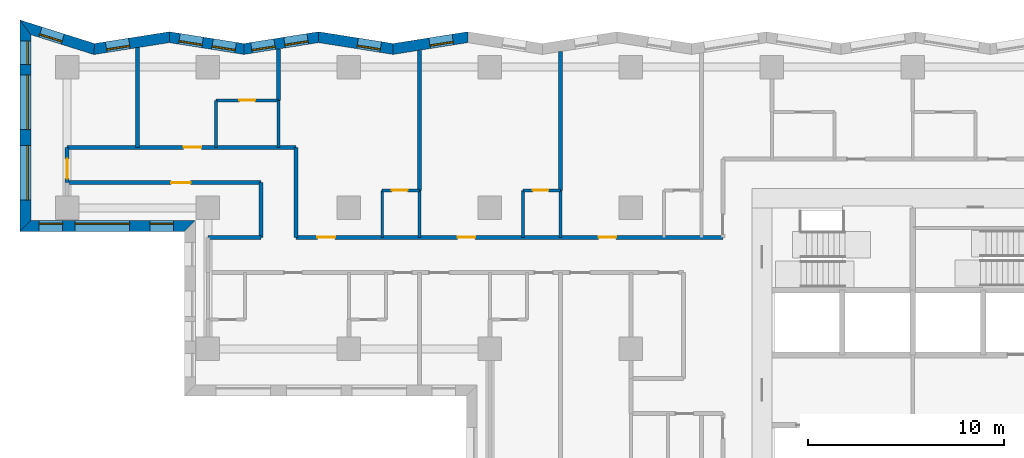
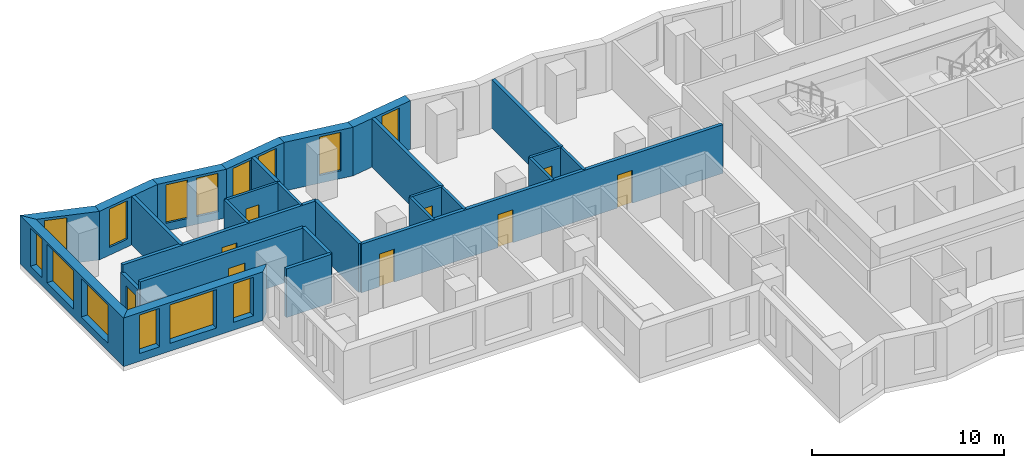
# One storey, part 4 of 12: 28 walls, 14 windows, 9 doors, 23 openings.
"""IFC4 building model written with IfcOpenShell, lengths in metres."""

from ifc_helpers import new_model, si_unit, direction, frame, frame_2d, origin, place, context, subcontext, project, spatial, polyline, rectangle, outline, extrude, material, layer, layer_set, type_object, element, fill, save


model = new_model("IFC4")

# Units and contexts
model_context = context("Model", 3, precision=1e-05, world=origin(), true_north=direction((0.0, 1.0)))
body_context = subcontext(model_context, "Body", "Model", "MODEL_VIEW")
ifc_project = project(units=[si_unit("LENGTHUNIT", "METRE"), si_unit("AREAUNIT", "SQUARE_METRE"), si_unit("VOLUMEUNIT", "CUBIC_METRE"), si_unit("PLANEANGLEUNIT", "RADIAN"), si_unit("MASSUNIT", "GRAM", prefix="KILO")], contexts=[model_context])

# Site, building, storey
site_placement = place(None, origin())
site = spatial("IfcSite", under=ifc_project, at=site_placement, CompositionType="ELEMENT")
building_placement = place(site_placement, origin())
building = spatial("IfcBuilding", under=site, at=building_placement, Name="Windrow Commons", CompositionType="ELEMENT")
storey_placement = place(building_placement, frame((0.0, 0.0, 61.0)))
storey = spatial("IfcBuildingStorey", under=building, at=storey_placement, Name="L16", CompositionType="ELEMENT", Elevation=61.0)

# Wall, opening, window
ifc_material_1 = material(Name="Brick masonry, red clay brick", Category="masonry")
ifc_layer_1 = layer(ifc_material_1, 0.55)
ifc_layer_set_1 = layer_set([ifc_layer_1], Name="Brick facade wall 550")
wall_type_1 = type_object("IfcWallType", Name="Brick facade wall 550", PredefinedType="SOLIDWALL", material=ifc_layer_set_1)
wall_1_placement = place(storey_placement, frame((42.0714, 73.5246, 0.0), z_axis=(0.0, 0.0, 1.0), x_axis=(-0.9877213372, -0.1562259905, 0.0)))
wall_1 = element("IfcWall", 1, at=wall_1_placement, inside=storey, type_object=wall_type_1, Name="Brick facade wall L16 33", PredefinedType="SOLIDWALL", context=body_context, shape_type="SweptSolid", body=[
    extrude(outline(polyline([(-0.0435, -0.275), (3.8163, -0.275), (3.9033, 0.275), (0.0435, 0.275), (-0.0435, -0.275)])), origin(), (0.0, 0.0, 1.0), 3.1),
])
opening_1_placement = place(wall_1_placement, frame((0.7728, 0.0, 0.5)))
opening_1 = element("IfcOpeningElement", 2, at=opening_1_placement, cuts=wall_1, Name="Opening W7D", PredefinedType="OPENING", context=body_context, shape_type="SweptSolid", body=[
    extrude(rectangle(XDim=1.2, YDim=2.45, at=frame_2d((0.6, 1.225))), frame((0.0, 0.285, 0.0), z_axis=(0.0, -1.0, 0.0), x_axis=(1.0, 0.0, 0.0)), (0.0, 0.0, 1.0), 0.57),
])
ifc_material_2 = material(Name="Clear float glass in anodised aluminium frame", Category="aluminium")
window_type_1 = type_object("IfcWindowType", Name="Window W7 notch 1200x2450", PartitioningType="SINGLE_PANEL", PredefinedType="WINDOW", material=ifc_material_2)
window_1_placement = place(opening_1_placement, origin())
window_1 = element("IfcWindow", 3, at=window_1_placement, inside=storey, type_object=window_type_1, Name="Window L16 33.1", OverallHeight=2.45, OverallWidth=1.2, PartitioningType="SINGLE_PANEL", PredefinedType="WINDOW", context=body_context, shape_type="SweptSolid", body=[
    extrude(rectangle(XDim=1.2, YDim=2.45, at=frame_2d((0.6, 1.225))), frame((0.0, 0.155, 0.0), z_axis=(0.0, -1.0, 0.0), x_axis=(1.0, 0.0, 0.0)), (0.0, 0.0, 1.0), 0.06),
])
fill(opening_1, window_1)

wall_2_placement = place(storey_placement, frame((38.259, 72.9216, 0.0), z_axis=(0.0, 0.0, 1.0), x_axis=(-0.9877213372, 0.1562259905, 0.0)))
wall_2 = element("IfcWall", 4, at=wall_2_placement, inside=storey, type_object=wall_type_1, Name="Brick facade wall L16 34", PredefinedType="SOLIDWALL", context=body_context, shape_type="SweptSolid", body=[
    extrude(outline(polyline([(0.0435, -0.275), (3.9033, -0.275), (3.8163, 0.275), (-0.0435, 0.275), (0.0435, -0.275)])), origin(), (0.0, 0.0, 1.0), 3.1),
])
opening_2_placement = place(wall_2_placement, frame((0.6435, 0.0, 0.5)))
opening_2 = element("IfcOpeningElement", 5, at=opening_2_placement, cuts=wall_2, Name="Opening W7D", PredefinedType="OPENING", context=body_context, shape_type="SweptSolid", body=[
    extrude(rectangle(XDim=1.2, YDim=2.45, at=frame_2d((0.6, 1.225))), frame((0.0, 0.285, 0.0), z_axis=(0.0, -1.0, 0.0), x_axis=(1.0, 0.0, 0.0)), (0.0, 0.0, 1.0), 0.57),
])
window_2_placement = place(opening_2_placement, origin())
window_2 = element("IfcWindow", 6, at=window_2_placement, inside=storey, type_object=window_type_1, Name="Window L16 34.1", OverallHeight=2.45, OverallWidth=1.2, PartitioningType="SINGLE_PANEL", PredefinedType="WINDOW", context=body_context, shape_type="SweptSolid", body=[
    extrude(rectangle(XDim=1.2, YDim=2.45, at=frame_2d((0.6, 1.225))), frame((0.0, 0.155, 0.0), z_axis=(0.0, -1.0, 0.0), x_axis=(1.0, 0.0, 0.0)), (0.0, 0.0, 1.0), 0.06),
])
fill(opening_2, window_2)

# Wall, openings, windows
wall_3_placement = place(storey_placement, frame((34.4466, 73.5246, 0.0), z_axis=(0.0, 0.0, 1.0), x_axis=(-0.9877213372, -0.1562259905, 0.0)))
wall_3 = element("IfcWall", 7, at=wall_3_placement, inside=storey, type_object=wall_type_1, Name="Brick facade wall L16 35", PredefinedType="SOLIDWALL", context=body_context, shape_type="SweptSolid", body=[
    extrude(outline(polyline([(-0.0435, -0.275), (3.8163, -0.275), (3.9033, 0.275), (0.0435, 0.275), (-0.0435, -0.275)])), origin(), (0.0, 0.0, 1.0), 3.1),
])
opening_3_placement = place(wall_3_placement, frame((0.5578, 0.0, 0.5)))
opening_3 = element("IfcOpeningElement", 8, at=opening_3_placement, cuts=wall_3, Name="Opening W7D", PredefinedType="OPENING", context=body_context, shape_type="SweptSolid", body=[
    extrude(rectangle(XDim=1.2, YDim=2.45, at=frame_2d((0.6, 1.225))), frame((0.0, 0.285, 0.0), z_axis=(0.0, -1.0, 0.0), x_axis=(1.0, 0.0, 0.0)), (0.0, 0.0, 1.0), 0.57),
])
opening_4_placement = place(wall_3_placement, frame((2.2659, 0.0, 0.5)))
opening_4 = element("IfcOpeningElement", 9, at=opening_4_placement, cuts=wall_3, Name="Opening W7D", PredefinedType="OPENING", context=body_context, shape_type="SweptSolid", body=[
    extrude(rectangle(XDim=1.2, YDim=2.45, at=frame_2d((0.6, 1.225))), frame((0.0, 0.285, 0.0), z_axis=(0.0, -1.0, 0.0), x_axis=(1.0, 0.0, 0.0)), (0.0, 0.0, 1.0), 0.57),
])
window_3_placement = place(opening_3_placement, origin())
window_3 = element("IfcWindow", 10, at=window_3_placement, inside=storey, type_object=window_type_1, Name="Window L16 35.1", OverallHeight=2.45, OverallWidth=1.2, PartitioningType="SINGLE_PANEL", PredefinedType="WINDOW", context=body_context, shape_type="SweptSolid", body=[
    extrude(rectangle(XDim=1.2, YDim=2.45, at=frame_2d((0.6, 1.225))), frame((0.0, 0.155, 0.0), z_axis=(0.0, -1.0, 0.0), x_axis=(1.0, 0.0, 0.0)), (0.0, 0.0, 1.0), 0.06),
])
fill(opening_3, window_3)
window_4_placement = place(opening_4_placement, origin())
window_4 = element("IfcWindow", 11, at=window_4_placement, inside=storey, type_object=window_type_1, Name="Window L16 35.2", OverallHeight=2.45, OverallWidth=1.2, PartitioningType="SINGLE_PANEL", PredefinedType="WINDOW", context=body_context, shape_type="SweptSolid", body=[
    extrude(rectangle(XDim=1.2, YDim=2.45, at=frame_2d((0.6, 1.225))), frame((0.0, 0.155, 0.0), z_axis=(0.0, -1.0, 0.0), x_axis=(1.0, 0.0, 0.0)), (0.0, 0.0, 1.0), 0.06),
])
fill(opening_4, window_4)

wall_4_placement = place(storey_placement, frame((30.6342, 72.9216, 0.0), z_axis=(0.0, 0.0, 1.0), x_axis=(-0.9877213372, 0.1562259905, 0.0)))
wall_4 = element("IfcWall", 12, at=wall_4_placement, inside=storey, type_object=wall_type_1, Name="Brick facade wall L16 36", PredefinedType="SOLIDWALL", context=body_context, shape_type="SweptSolid", body=[
    extrude(outline(polyline([(0.0435, -0.275), (3.9033, -0.275), (3.8163, 0.275), (-0.0435, 0.275), (0.0435, -0.275)])), origin(), (0.0, 0.0, 1.0), 3.1),
])
opening_5_placement = place(wall_4_placement, frame((0.4285, 0.0, 0.5)))
opening_5 = element("IfcOpeningElement", 13, at=opening_5_placement, cuts=wall_4, Name="Opening W7D", PredefinedType="OPENING", context=body_context, shape_type="SweptSolid", body=[
    extrude(rectangle(XDim=1.2, YDim=2.45, at=frame_2d((0.6, 1.225))), frame((0.0, 0.285, 0.0), z_axis=(0.0, -1.0, 0.0), x_axis=(1.0, 0.0, 0.0)), (0.0, 0.0, 1.0), 0.57),
])
opening_6_placement = place(wall_4_placement, frame((2.1366, 0.0, 0.5)))
opening_6 = element("IfcOpeningElement", 14, at=opening_6_placement, cuts=wall_4, Name="Opening W7D", PredefinedType="OPENING", context=body_context, shape_type="SweptSolid", body=[
    extrude(rectangle(XDim=1.2, YDim=2.45, at=frame_2d((0.6, 1.225))), frame((0.0, 0.285, 0.0), z_axis=(0.0, -1.0, 0.0), x_axis=(1.0, 0.0, 0.0)), (0.0, 0.0, 1.0), 0.57),
])
window_5_placement = place(opening_5_placement, origin())
window_5 = element("IfcWindow", 15, at=window_5_placement, inside=storey, type_object=window_type_1, Name="Window L16 36.1", OverallHeight=2.45, OverallWidth=1.2, PartitioningType="SINGLE_PANEL", PredefinedType="WINDOW", context=body_context, shape_type="SweptSolid", body=[
    extrude(rectangle(XDim=1.2, YDim=2.45, at=frame_2d((0.6, 1.225))), frame((0.0, 0.155, 0.0), z_axis=(0.0, -1.0, 0.0), x_axis=(1.0, 0.0, 0.0)), (0.0, 0.0, 1.0), 0.06),
])
fill(opening_5, window_5)
window_6_placement = place(opening_6_placement, origin())
window_6 = element("IfcWindow", 16, at=window_6_placement, inside=storey, type_object=window_type_1, Name="Window L16 36.2", OverallHeight=2.45, OverallWidth=1.2, PartitioningType="SINGLE_PANEL", PredefinedType="WINDOW", context=body_context, shape_type="SweptSolid", body=[
    extrude(rectangle(XDim=1.2, YDim=2.45, at=frame_2d((0.6, 1.225))), frame((0.0, 0.155, 0.0), z_axis=(0.0, -1.0, 0.0), x_axis=(1.0, 0.0, 0.0)), (0.0, 0.0, 1.0), 0.06),
])
fill(opening_6, window_6)

# Wall, opening, window
wall_5_placement = place(storey_placement, frame((26.8218, 73.5246, 0.0), z_axis=(0.0, 0.0, 1.0), x_axis=(-0.9877221932, -0.1562205785, 0.0)))
wall_5 = element("IfcWall", 17, at=wall_5_placement, inside=storey, type_object=wall_type_1, Name="Brick facade wall L16 37", PredefinedType="SOLIDWALL", context=body_context, shape_type="SweptSolid", body=[
    extrude(outline(polyline([(-0.0435, -0.275), (3.8163, -0.275), (3.9458, 0.275), (0.0435, 0.275), (-0.0435, -0.275)])), origin(), (0.0, 0.0, 1.0), 3.1),
])
opening_7_placement = place(wall_5_placement, frame((2.0615, 0.0, 0.5)))
opening_7 = element("IfcOpeningElement", 18, at=opening_7_placement, cuts=wall_5, Name="Opening W7D", PredefinedType="OPENING", context=body_context, shape_type="SweptSolid", body=[
    extrude(rectangle(XDim=1.2, YDim=2.45, at=frame_2d((0.6, 1.225))), frame((0.0, 0.285, 0.0), z_axis=(0.0, -1.0, 0.0), x_axis=(1.0, 0.0, 0.0)), (0.0, 0.0, 1.0), 0.57),
])
window_7_placement = place(opening_7_placement, origin())
window_7 = element("IfcWindow", 19, at=window_7_placement, inside=storey, type_object=window_type_1, Name="Window L16 37.1", OverallHeight=2.45, OverallWidth=1.2, PartitioningType="SINGLE_PANEL", PredefinedType="WINDOW", context=body_context, shape_type="SweptSolid", body=[
    extrude(rectangle(XDim=1.2, YDim=2.45, at=frame_2d((0.6, 1.225))), frame((0.0, 0.155, 0.0), z_axis=(0.0, -1.0, 0.0), x_axis=(1.0, 0.0, 0.0)), (0.0, 0.0, 1.0), 0.06),
])
fill(opening_7, window_7)

wall_6_placement = place(storey_placement, frame((22.9884, 72.9183, 0.0), z_axis=(0.0, 0.0, 1.0), x_axis=(-0.9536482224, 0.3009236912, 0.0)))
wall_6 = element("IfcWall", 20, at=wall_6_placement, inside=storey, type_object=wall_type_1, Name="Brick facade wall L16 38", PredefinedType="SOLIDWALL", context=body_context, shape_type="SweptSolid", body=[
    extrude(outline(polyline([(0.0648, -0.275), (4.0625, -0.275), (3.3122, 0.275), (-0.0648, 0.275), (0.0648, -0.275)])), origin(), (0.0, 0.0, 1.0), 3.1),
])
opening_8_placement = place(wall_6_placement, frame((1.684, 0.0, 0.5)))
opening_8 = element("IfcOpeningElement", 21, at=opening_8_placement, cuts=wall_6, Name="Opening W7D", PredefinedType="OPENING", context=body_context, shape_type="SweptSolid", body=[
    extrude(rectangle(XDim=1.2, YDim=2.45, at=frame_2d((0.6, 1.225))), frame((0.0, 0.285, 0.0), z_axis=(0.0, -1.0, 0.0), x_axis=(1.0, 0.0, 0.0)), (0.0, 0.0, 1.0), 0.57),
])
window_8_placement = place(opening_8_placement, origin())
window_8 = element("IfcWindow", 22, at=window_8_placement, inside=storey, type_object=window_type_1, Name="Window L16 38.1", OverallHeight=2.45, OverallWidth=1.2, PartitioningType="SINGLE_PANEL", PredefinedType="WINDOW", context=body_context, shape_type="SweptSolid", body=[
    extrude(rectangle(XDim=1.2, YDim=2.45, at=frame_2d((0.6, 1.225))), frame((0.0, 0.155, 0.0), z_axis=(0.0, -1.0, 0.0), x_axis=(1.0, 0.0, 0.0)), (0.0, 0.0, 1.0), 0.06),
])
fill(opening_8, window_8)

# Wall, openings, windows
wall_7_placement = place(storey_placement, frame((19.472, 74.0279, 0.0), z_axis=(0.0, 0.0, 1.0), x_axis=(0.0, -1.0, 0.0)))
wall_7 = element("IfcWall", 23, at=wall_7_placement, inside=storey, type_object=wall_type_1, Name="Brick facade wall L16 39", PredefinedType="SOLIDWALL", context=body_context, shape_type="SweptSolid", body=[
    extrude(outline(polyline([(-0.3751, -0.275), (10.4279, -0.275), (9.8779, 0.275), (0.3751, 0.275), (-0.3751, -0.275)])), origin(), (0.0, 0.0, 1.0), 3.1),
])
opening_9_placement = place(wall_7_placement, frame((2.4279, 0.0, 0.5)))
opening_9 = element("IfcOpeningElement", 24, at=opening_9_placement, cuts=wall_7, Name="Opening W1T", PredefinedType="OPENING", context=body_context, shape_type="SweptSolid", body=[
    extrude(rectangle(XDim=2.8, YDim=2.45, at=frame_2d((1.4, 1.225))), frame((0.0, 0.285, 0.0), z_axis=(0.0, -1.0, 0.0), x_axis=(1.0, 0.0, 0.0)), (0.0, 0.0, 1.0), 0.57),
])
opening_10_placement = place(wall_7_placement, frame((6.0279, 0.0, 0.5)))
opening_10 = element("IfcOpeningElement", 25, at=opening_10_placement, cuts=wall_7, Name="Opening W1T", PredefinedType="OPENING", context=body_context, shape_type="SweptSolid", body=[
    extrude(rectangle(XDim=2.8, YDim=2.45, at=frame_2d((1.4, 1.225))), frame((0.0, 0.285, 0.0), z_axis=(0.0, -1.0, 0.0), x_axis=(1.0, 0.0, 0.0)), (0.0, 0.0, 1.0), 0.57),
])
opening_11_placement = place(wall_7_placement, frame((0.7015, 0.0, 0.5)))
opening_11 = element("IfcOpeningElement", 26, at=opening_11_placement, cuts=wall_7, Name="Opening W7D", PredefinedType="OPENING", context=body_context, shape_type="SweptSolid", body=[
    extrude(rectangle(XDim=1.2, YDim=2.45, at=frame_2d((0.6, 1.225))), frame((0.0, 0.285, 0.0), z_axis=(0.0, -1.0, 0.0), x_axis=(1.0, 0.0, 0.0)), (0.0, 0.0, 1.0), 0.57),
])
ifc_material_3 = material(Name="Clear float glass in anodised aluminium frame", Category="aluminium")
window_type_2 = type_object("IfcWindowType", Name="Window W1T bedroom 2800x2450", PartitioningType="SINGLE_PANEL", PredefinedType="WINDOW", material=ifc_material_3)
window_9_placement = place(opening_9_placement, origin())
window_9 = element("IfcWindow", 27, at=window_9_placement, inside=storey, type_object=window_type_2, Name="Window L16 39.1", OverallHeight=2.45, OverallWidth=2.8, PartitioningType="SINGLE_PANEL", PredefinedType="WINDOW", context=body_context, shape_type="SweptSolid", body=[
    extrude(rectangle(XDim=2.8, YDim=2.45, at=frame_2d((1.4, 1.225))), frame((0.0, 0.155, 0.0), z_axis=(0.0, -1.0, 0.0), x_axis=(1.0, 0.0, 0.0)), (0.0, 0.0, 1.0), 0.06),
])
fill(opening_9, window_9)
window_10_placement = place(opening_10_placement, origin())
window_10 = element("IfcWindow", 28, at=window_10_placement, inside=storey, type_object=window_type_2, Name="Window L16 39.2", OverallHeight=2.45, OverallWidth=2.8, PartitioningType="SINGLE_PANEL", PredefinedType="WINDOW", context=body_context, shape_type="SweptSolid", body=[
    extrude(rectangle(XDim=2.8, YDim=2.45, at=frame_2d((1.4, 1.225))), frame((0.0, 0.155, 0.0), z_axis=(0.0, -1.0, 0.0), x_axis=(1.0, 0.0, 0.0)), (0.0, 0.0, 1.0), 0.06),
])
fill(opening_10, window_10)
window_11_placement = place(opening_11_placement, origin())
window_11 = element("IfcWindow", 29, at=window_11_placement, inside=storey, type_object=window_type_1, Name="Window L16 39.3", OverallHeight=2.45, OverallWidth=1.2, PartitioningType="SINGLE_PANEL", PredefinedType="WINDOW", context=body_context, shape_type="SweptSolid", body=[
    extrude(rectangle(XDim=1.2, YDim=2.45, at=frame_2d((0.6, 1.225))), frame((0.0, 0.155, 0.0), z_axis=(0.0, -1.0, 0.0), x_axis=(1.0, 0.0, 0.0)), (0.0, 0.0, 1.0), 0.06),
])
fill(opening_11, window_11)

wall_8_placement = place(storey_placement, frame((19.472, 63.875, 0.0), z_axis=(0.0, 0.0, 1.0), x_axis=(1.0, 0.0, 0.0)))
wall_8 = element("IfcWall", 30, at=wall_8_placement, inside=storey, type_object=wall_type_1, Name="Brick facade wall L16 40", PredefinedType="SOLIDWALL", context=body_context, shape_type="SweptSolid", body=[
    extrude(outline(polyline([(-0.275, -0.275), (8.128, -0.275), (8.678, 0.275), (0.275, 0.275), (-0.275, -0.275)])), origin(), (0.0, 0.0, 1.0), 3.1),
])
opening_12_placement = place(wall_8_placement, frame((2.528, 0.0, 0.5)))
opening_12 = element("IfcOpeningElement", 31, at=opening_12_placement, cuts=wall_8, Name="Opening W1T", PredefinedType="OPENING", context=body_context, shape_type="SweptSolid", body=[
    extrude(rectangle(XDim=2.8, YDim=2.45, at=frame_2d((1.4, 1.225))), frame((0.0, 0.285, 0.0), z_axis=(0.0, -1.0, 0.0), x_axis=(1.0, 0.0, 0.0)), (0.0, 0.0, 1.0), 0.57),
])
opening_13_placement = place(wall_8_placement, frame((0.7015, 0.0, 0.5)))
opening_13 = element("IfcOpeningElement", 32, at=opening_13_placement, cuts=wall_8, Name="Opening W7D", PredefinedType="OPENING", context=body_context, shape_type="SweptSolid", body=[
    extrude(rectangle(XDim=1.2, YDim=2.45, at=frame_2d((0.6, 1.225))), frame((0.0, 0.285, 0.0), z_axis=(0.0, -1.0, 0.0), x_axis=(1.0, 0.0, 0.0)), (0.0, 0.0, 1.0), 0.57),
])
opening_14_placement = place(wall_8_placement, frame((6.3655, 0.0, 0.5)))
opening_14 = element("IfcOpeningElement", 33, at=opening_14_placement, cuts=wall_8, Name="Opening W7D", PredefinedType="OPENING", context=body_context, shape_type="SweptSolid", body=[
    extrude(rectangle(XDim=1.2, YDim=2.45, at=frame_2d((0.6, 1.225))), frame((0.0, 0.285, 0.0), z_axis=(0.0, -1.0, 0.0), x_axis=(1.0, 0.0, 0.0)), (0.0, 0.0, 1.0), 0.57),
])
window_12_placement = place(opening_12_placement, origin())
window_12 = element("IfcWindow", 34, at=window_12_placement, inside=storey, type_object=window_type_2, Name="Window L16 40.1", OverallHeight=2.45, OverallWidth=2.8, PartitioningType="SINGLE_PANEL", PredefinedType="WINDOW", context=body_context, shape_type="SweptSolid", body=[
    extrude(rectangle(XDim=2.8, YDim=2.45, at=frame_2d((1.4, 1.225))), frame((0.0, 0.155, 0.0), z_axis=(0.0, -1.0, 0.0), x_axis=(1.0, 0.0, 0.0)), (0.0, 0.0, 1.0), 0.06),
])
fill(opening_12, window_12)
window_13_placement = place(opening_13_placement, origin())
window_13 = element("IfcWindow", 35, at=window_13_placement, inside=storey, type_object=window_type_1, Name="Window L16 40.2", OverallHeight=2.45, OverallWidth=1.2, PartitioningType="SINGLE_PANEL", PredefinedType="WINDOW", context=body_context, shape_type="SweptSolid", body=[
    extrude(rectangle(XDim=1.2, YDim=2.45, at=frame_2d((0.6, 1.225))), frame((0.0, 0.155, 0.0), z_axis=(0.0, -1.0, 0.0), x_axis=(1.0, 0.0, 0.0)), (0.0, 0.0, 1.0), 0.06),
])
fill(opening_13, window_13)
window_14_placement = place(opening_14_placement, origin())
window_14 = element("IfcWindow", 36, at=window_14_placement, inside=storey, type_object=window_type_1, Name="Window L16 40.3", OverallHeight=2.45, OverallWidth=1.2, PartitioningType="SINGLE_PANEL", PredefinedType="WINDOW", context=body_context, shape_type="SweptSolid", body=[
    extrude(rectangle(XDim=1.2, YDim=2.45, at=frame_2d((0.6, 1.225))), frame((0.0, 0.155, 0.0), z_axis=(0.0, -1.0, 0.0), x_axis=(1.0, 0.0, 0.0)), (0.0, 0.0, 1.0), 0.06),
])
fill(opening_14, window_14)

# Wall, openings, doors
ifc_material_4 = material(Name="Blockwork partition", Category="masonry")
ifc_layer_2 = layer(ifc_material_4, 0.2)
ifc_layer_set_2 = layer_set([ifc_layer_2], Name="IW-CORRIDOR-200")
wall_type_2 = type_object("IfcWallType", Name="IW-CORRIDOR-200", PredefinedType="PARTITIONING", material=ifc_layer_set_2)
wall_9_placement = place(storey_placement, frame((33.302, 63.3, 0.0), z_axis=(0.0, 0.0, 1.0), x_axis=(1.0, 0.0, 0.0)))
wall_9 = element("IfcWall", 37, at=wall_9_placement, inside=storey, type_object=wall_type_2, Name="W-L16-W001", PredefinedType="PARTITIONING", context=body_context, shape_type="SweptSolid", body=[
    extrude(rectangle(XDim=21.798, YDim=0.2, at=frame_2d((10.899, 0.0))), origin(), (0.0, 0.0, 1.0), 3.1),
])
opening_15_placement = place(wall_9_placement, frame((1.0908, 0.0, 0.0)))
opening_15 = element("IfcOpeningElement", 38, at=opening_15_placement, cuts=wall_9, Name="Opening D109F", PredefinedType="OPENING", context=body_context, shape_type="SweptSolid", body=[
    extrude(rectangle(XDim=0.9, YDim=2.1, at=frame_2d((0.45, 1.05))), frame((0.0, 0.11, 0.0), z_axis=(0.0, -1.0, 0.0), x_axis=(1.0, 0.0, 0.0)), (0.0, 0.0, 1.0), 0.22),
])
opening_16_placement = place(wall_9_placement, frame((8.2483, 0.0, 0.0)))
opening_16 = element("IfcOpeningElement", 39, at=opening_16_placement, cuts=wall_9, Name="Opening D109F", PredefinedType="OPENING", context=body_context, shape_type="SweptSolid", body=[
    extrude(rectangle(XDim=0.9, YDim=2.1, at=frame_2d((0.45, 1.05))), frame((0.0, 0.11, 0.0), z_axis=(0.0, -1.0, 0.0), x_axis=(1.0, 0.0, 0.0)), (0.0, 0.0, 1.0), 0.22),
])
opening_17_placement = place(wall_9_placement, frame((15.4483, 0.0, 0.0)))
opening_17 = element("IfcOpeningElement", 40, at=opening_17_placement, cuts=wall_9, Name="Opening D109F", PredefinedType="OPENING", context=body_context, shape_type="SweptSolid", body=[
    extrude(rectangle(XDim=0.9, YDim=2.1, at=frame_2d((0.45, 1.05))), frame((0.0, 0.11, 0.0), z_axis=(0.0, -1.0, 0.0), x_axis=(1.0, 0.0, 0.0)), (0.0, 0.0, 1.0), 0.22),
])
ifc_material_5 = material(Name="Timber door leaf", Category="wood")
door_type_1 = type_object("IfcDoorType", Name="DT-BEDROOM-900", OperationType="SINGLE_SWING_LEFT", PredefinedType="DOOR", material=ifc_material_5)
door_1_placement = place(opening_15_placement, origin())
door_1 = element("IfcDoor", 41, at=door_1_placement, inside=storey, type_object=door_type_1, Name="D-L16-D009", OperationType="SINGLE_SWING_LEFT", OverallHeight=2.1, OverallWidth=0.9, PredefinedType="DOOR", context=body_context, shape_type="SweptSolid", body=[
    extrude(rectangle(XDim=0.9, YDim=2.1, at=frame_2d((0.45, 1.05))), frame((0.0, 0.025, 0.0), z_axis=(0.0, -1.0, 0.0), x_axis=(1.0, 0.0, 0.0)), (0.0, 0.0, 1.0), 0.05),
])
fill(opening_15, door_1)
door_2_placement = place(opening_16_placement, origin())
door_2 = element("IfcDoor", 42, at=door_2_placement, inside=storey, type_object=door_type_1, Name="D-L16-D011", OperationType="SINGLE_SWING_LEFT", OverallHeight=2.1, OverallWidth=0.9, PredefinedType="DOOR", context=body_context, shape_type="SweptSolid", body=[
    extrude(rectangle(XDim=0.9, YDim=2.1, at=frame_2d((0.45, 1.05))), frame((0.0, 0.025, 0.0), z_axis=(0.0, -1.0, 0.0), x_axis=(1.0, 0.0, 0.0)), (0.0, 0.0, 1.0), 0.05),
])
fill(opening_16, door_2)
door_3_placement = place(opening_17_placement, origin())
door_3 = element("IfcDoor", 43, at=door_3_placement, inside=storey, type_object=door_type_1, Name="D-L16-D013", OperationType="SINGLE_SWING_LEFT", OverallHeight=2.1, OverallWidth=0.9, PredefinedType="DOOR", context=body_context, shape_type="SweptSolid", body=[
    extrude(rectangle(XDim=0.9, YDim=2.1, at=frame_2d((0.45, 1.05))), frame((0.0, 0.025, 0.0), z_axis=(0.0, -1.0, 0.0), x_axis=(1.0, 0.0, 0.0)), (0.0, 0.0, 1.0), 0.05),
])
fill(opening_17, door_3)

# Wall, opening, door
wall_10_placement = place(storey_placement, frame((21.602, 67.9, 0.0), z_axis=(0.0, 0.0, 1.0), x_axis=(1.0, 0.0, 0.0)))
wall_10 = element("IfcWall", 44, at=wall_10_placement, inside=storey, type_object=wall_type_2, Name="W-L16-W009", PredefinedType="PARTITIONING", context=body_context, shape_type="SweptSolid", body=[
    extrude(rectangle(XDim=11.698, YDim=0.2, at=frame_2d((5.849, 0.0))), origin(), (0.0, 0.0, 1.0), 3.1),
])
opening_18_placement = place(wall_10_placement, frame((5.955, 0.0, 0.0)))
opening_18 = element("IfcOpeningElement", 45, at=opening_18_placement, cuts=wall_10, Name="Opening D109F", PredefinedType="OPENING", context=body_context, shape_type="SweptSolid", body=[
    extrude(rectangle(XDim=0.9, YDim=2.1, at=frame_2d((0.45, 1.05))), frame((0.0, 0.11, 0.0), z_axis=(0.0, -1.0, 0.0), x_axis=(1.0, 0.0, 0.0)), (0.0, 0.0, 1.0), 0.22),
])
door_4_placement = place(opening_18_placement, origin())
door_4 = element("IfcDoor", 46, at=door_4_placement, inside=storey, type_object=door_type_1, Name="D-L16-D003", OperationType="SINGLE_SWING_LEFT", OverallHeight=2.1, OverallWidth=0.9, PredefinedType="DOOR", context=body_context, shape_type="SweptSolid", body=[
    extrude(rectangle(XDim=0.9, YDim=2.1, at=frame_2d((0.45, 1.05))), frame((0.0, 0.025, 0.0), z_axis=(0.0, -1.0, 0.0), x_axis=(1.0, 0.0, 0.0)), (0.0, 0.0, 1.0), 0.05),
])
fill(opening_18, door_4)

wall_11_placement = place(storey_placement, frame((21.6, 66.1, 0.0), z_axis=(0.0, 0.0, 1.0), x_axis=(1.0, 0.0, 0.0)))
wall_11 = element("IfcWall", 47, at=wall_11_placement, inside=storey, type_object=wall_type_2, Name="W-L16-W011", PredefinedType="PARTITIONING", context=body_context, shape_type="SweptSolid", body=[
    extrude(rectangle(XDim=9.9, YDim=0.2, at=frame_2d((4.95, 0.0))), origin(), (0.0, 0.0, 1.0), 3.1),
])
opening_19_placement = place(wall_11_placement, frame((5.3136, 0.0, 0.0)))
opening_19 = element("IfcOpeningElement", 48, at=opening_19_placement, cuts=wall_11, Name="Opening D310F", PredefinedType="OPENING", context=body_context, shape_type="SweptSolid", body=[
    extrude(rectangle(XDim=1.0, YDim=2.1, at=frame_2d((0.5, 1.05))), frame((0.0, 0.11, 0.0), z_axis=(0.0, -1.0, 0.0), x_axis=(1.0, 0.0, 0.0)), (0.0, 0.0, 1.0), 0.22),
])
ifc_material_6 = material(Name="Timber door leaf", Category="wood")
door_type_2 = type_object("IfcDoorType", Name="DT-AMENITY-1000", OperationType="SINGLE_SWING_LEFT", PredefinedType="DOOR", material=ifc_material_6)
door_5_placement = place(opening_19_placement, origin())
door_5 = element("IfcDoor", 49, at=door_5_placement, inside=storey, type_object=door_type_2, Name="D-L16-D002", OperationType="SINGLE_SWING_LEFT", OverallHeight=2.1, OverallWidth=1.0, PredefinedType="DOOR", context=body_context, shape_type="SweptSolid", body=[
    extrude(rectangle(XDim=1.0, YDim=2.1, at=frame_2d((0.5, 1.05))), frame((0.0, 0.025, 0.0), z_axis=(0.0, -1.0, 0.0), x_axis=(1.0, 0.0, 0.0)), (0.0, 0.0, 1.0), 0.05),
])
fill(opening_19, door_5)

# Walls
wall_12_placement = place(storey_placement, frame((33.3, 63.302, 0.0), z_axis=(0.0, 0.0, 1.0), x_axis=(0.0, 1.0, 0.0)))
element("IfcWall", 50, at=wall_12_placement, inside=storey, type_object=wall_type_2, Name="W-L16-W043", PredefinedType="PARTITIONING", context=body_context, shape_type="SweptSolid", body=[
    extrude(rectangle(XDim=4.598, YDim=0.2, at=frame_2d((2.299, 0.0))), origin(), (0.0, 0.0, 1.0), 3.1),
])
wall_13_placement = place(storey_placement, frame((31.5, 63.302, 0.0), z_axis=(0.0, 0.0, 1.0), x_axis=(0.0, 1.0, 0.0)))
element("IfcWall", 51, at=wall_13_placement, inside=storey, type_object=wall_type_2, Name="W-L16-W065", PredefinedType="PARTITIONING", context=body_context, shape_type="SweptSolid", body=[
    extrude(rectangle(XDim=2.798, YDim=0.2, at=frame_2d((1.399, 0.0))), origin(), (0.0, 0.0, 1.0), 3.1),
])
wall_14_placement = place(storey_placement, frame((28.802, 63.3, 0.0), z_axis=(0.0, 0.0, 1.0), x_axis=(1.0, 0.0, 0.0)))
element("IfcWall", 52, at=wall_14_placement, inside=storey, type_object=wall_type_2, Name="W-L16-W067", PredefinedType="PARTITIONING", context=body_context, shape_type="SweptSolid", body=[
    extrude(rectangle(XDim=2.698, YDim=0.2, at=frame_2d((1.349, 0.0))), origin(), (0.0, 0.0, 1.0), 3.1),
])

# Wall, opening, door
wall_15_placement = place(storey_placement, frame((21.6, 66.1, 0.0), z_axis=(0.0, 0.0, 1.0), x_axis=(0.0, 1.0, 0.0)))
wall_15 = element("IfcWall", 53, at=wall_15_placement, inside=storey, type_object=wall_type_2, Name="W-L16-W131", PredefinedType="PARTITIONING", context=body_context, shape_type="SweptSolid", body=[
    extrude(rectangle(XDim=1.8, YDim=0.2, at=frame_2d((0.9, 0.0))), origin(), (0.0, 0.0, 1.0), 2.6),
])
opening_20_placement = place(wall_15_placement, frame((0.2066, 0.0, 0.0)))
opening_20 = element("IfcOpeningElement", 54, at=opening_20_placement, cuts=wall_15, Name="Opening D310F", PredefinedType="OPENING", context=body_context, shape_type="SweptSolid", body=[
    extrude(rectangle(XDim=1.0, YDim=2.1, at=frame_2d((0.5, 1.05))), frame((0.0, 0.11, 0.0), z_axis=(0.0, -1.0, 0.0), x_axis=(1.0, 0.0, 0.0)), (0.0, 0.0, 1.0), 0.22),
])
door_6_placement = place(opening_20_placement, origin())
door_6 = element("IfcDoor", 55, at=door_6_placement, inside=storey, type_object=door_type_2, Name="D-L16-D001", OperationType="SINGLE_SWING_RIGHT", OverallHeight=2.1, OverallWidth=1.0, PredefinedType="DOOR", context=body_context, shape_type="SweptSolid", body=[
    extrude(rectangle(XDim=1.0, YDim=2.1, at=frame_2d((0.5, 1.05))), frame((0.0, 0.025, 0.0), z_axis=(0.0, -1.0, 0.0), x_axis=(1.0, 0.0, 0.0)), (0.0, 0.0, 1.0), 0.05),
])
fill(opening_20, door_6)

ifc_material_7 = material(Name="Blockwork partition", Category="masonry")
ifc_layer_3 = layer(ifc_material_7, 0.15)
ifc_layer_set_3 = layer_set([ifc_layer_3], Name="IW-ENSUITE-150")
wall_type_3 = type_object("IfcWallType", Name="IW-ENSUITE-150", PredefinedType="PARTITIONING", material=ifc_layer_set_3)
wall_16_placement = place(storey_placement, frame((29.2, 70.3, 0.0), z_axis=(0.0, 0.0, 1.0), x_axis=(1.0, 0.0, 0.0)))
wall_16 = element("IfcWall", 56, at=wall_16_placement, inside=storey, type_object=wall_type_3, Name="W-L16-W061", PredefinedType="PARTITIONING", context=body_context, shape_type="SweptSolid", body=[
    extrude(rectangle(XDim=3.2, YDim=0.15, at=frame_2d((1.6, 0.0))), origin(), (0.0, 0.0, 1.0), 3.1),
])
opening_21_placement = place(wall_16_placement, frame((1.2042, 0.0, 0.0)))
opening_21 = element("IfcOpeningElement", 57, at=opening_21_placement, cuts=wall_16, Name="Opening D208N", PredefinedType="OPENING", context=body_context, shape_type="SweptSolid", body=[
    extrude(rectangle(XDim=0.8, YDim=2.1, at=frame_2d((0.4, 1.05))), frame((0.0, 0.085, 0.0), z_axis=(0.0, -1.0, 0.0), x_axis=(1.0, 0.0, 0.0)), (0.0, 0.0, 1.0), 0.17),
])
ifc_material_8 = material(Name="Timber door leaf", Category="wood")
door_type_3 = type_object("IfcDoorType", Name="DT-ENSUITE-800", OperationType="SINGLE_SWING_LEFT", PredefinedType="DOOR", material=ifc_material_8)
door_7_placement = place(opening_21_placement, origin())
door_7 = element("IfcDoor", 58, at=door_7_placement, inside=storey, type_object=door_type_3, Name="D-L16-D004", OperationType="SINGLE_SWING_RIGHT", OverallHeight=2.1, OverallWidth=0.8, PredefinedType="DOOR", context=body_context, shape_type="SweptSolid", body=[
    extrude(rectangle(XDim=0.8, YDim=2.1, at=frame_2d((0.4, 1.05))), frame((0.0, 0.025, 0.0), z_axis=(0.0, -1.0, 0.0), x_axis=(1.0, 0.0, 0.0)), (0.0, 0.0, 1.0), 0.05),
])
fill(opening_21, door_7)

# Walls
for number, where, z_axis, x_axis, name in (
    (59, (37.7, 63.3, 0.0), (0.0, 0.0, 1.0), (0.0, 1.0, 0.0), "W-L16-W074"),
    (60, (39.6, 63.3, 0.0), (0.0, 0.0, 1.0), (0.0, 1.0, 0.0), "W-L16-W075"),
    (61, (44.9, 63.3, 0.0), (0.0, 0.0, 1.0), (0.0, 1.0, 0.0), "W-L16-W076"),
    (62, (46.8, 63.3, 0.0), (0.0, 0.0, 1.0), (0.0, 1.0, 0.0), "W-L16-W077"),
    (63, (29.2, 67.9, 0.0), (0.0, 0.0, 1.0), (0.0, 1.0, 0.0), "W-L16-W096"),
    (64, (32.4, 67.9, 0.0), (0.0, 0.0, 1.0), (0.0, 1.0, 0.0), "W-L16-W097"),
):
    element("IfcWall", number, at=place(storey_placement, frame(where, z_axis=z_axis, x_axis=x_axis)), inside=storey, type_object=wall_type_3, Name=name, PredefinedType="PARTITIONING", context=body_context, shape_type="SweptSolid", body=[
        extrude(rectangle(XDim=2.4, YDim=0.15, at=frame_2d((1.2, 0.0))), origin(), (0.0, 0.0, 1.0), 3.1),
    ])

# Wall, opening, door
wall_17_placement = place(storey_placement, frame((37.7, 65.7, 0.0), z_axis=(0.0, 0.0, 1.0), x_axis=(1.0, 0.0, 0.0)))
wall_17 = element("IfcWall", 65, at=wall_17_placement, inside=storey, type_object=wall_type_3, Name="W-L16-W120", PredefinedType="PARTITIONING", context=body_context, shape_type="SweptSolid", body=[
    extrude(rectangle(XDim=1.9, YDim=0.15, at=frame_2d((0.95, 0.0))), origin(), (0.0, 0.0, 1.0), 3.1),
])
opening_22_placement = place(wall_17_placement, frame((0.4931, 0.0, 0.0)))
opening_22 = element("IfcOpeningElement", 66, at=opening_22_placement, cuts=wall_17, Name="Opening D208N", PredefinedType="OPENING", context=body_context, shape_type="SweptSolid", body=[
    extrude(rectangle(XDim=0.8, YDim=2.1, at=frame_2d((0.4, 1.05))), frame((0.0, 0.085, 0.0), z_axis=(0.0, -1.0, 0.0), x_axis=(1.0, 0.0, 0.0)), (0.0, 0.0, 1.0), 0.17),
])
door_8_placement = place(opening_22_placement, origin())
door_8 = element("IfcDoor", 67, at=door_8_placement, inside=storey, type_object=door_type_3, Name="D-L16-D010", OperationType="SINGLE_SWING_RIGHT", OverallHeight=2.1, OverallWidth=0.8, PredefinedType="DOOR", context=body_context, shape_type="SweptSolid", body=[
    extrude(rectangle(XDim=0.8, YDim=2.1, at=frame_2d((0.4, 1.05))), frame((0.0, 0.025, 0.0), z_axis=(0.0, -1.0, 0.0), x_axis=(1.0, 0.0, 0.0)), (0.0, 0.0, 1.0), 0.05),
])
fill(opening_22, door_8)

wall_18_placement = place(storey_placement, frame((44.9, 65.7, 0.0), z_axis=(0.0, 0.0, 1.0), x_axis=(1.0, 0.0, 0.0)))
wall_18 = element("IfcWall", 68, at=wall_18_placement, inside=storey, type_object=wall_type_3, Name="W-L16-W121", PredefinedType="PARTITIONING", context=body_context, shape_type="SweptSolid", body=[
    extrude(rectangle(XDim=1.9, YDim=0.15, at=frame_2d((0.95, 0.0))), origin(), (0.0, 0.0, 1.0), 3.1),
])
opening_23_placement = place(wall_18_placement, frame((0.4931, 0.0, 0.0)))
opening_23 = element("IfcOpeningElement", 69, at=opening_23_placement, cuts=wall_18, Name="Opening D208N", PredefinedType="OPENING", context=body_context, shape_type="SweptSolid", body=[
    extrude(rectangle(XDim=0.8, YDim=2.1, at=frame_2d((0.4, 1.05))), frame((0.0, 0.085, 0.0), z_axis=(0.0, -1.0, 0.0), x_axis=(1.0, 0.0, 0.0)), (0.0, 0.0, 1.0), 0.17),
])
door_9_placement = place(opening_23_placement, origin())
door_9 = element("IfcDoor", 70, at=door_9_placement, inside=storey, type_object=door_type_3, Name="D-L16-D012", OperationType="SINGLE_SWING_RIGHT", OverallHeight=2.1, OverallWidth=0.8, PredefinedType="DOOR", context=body_context, shape_type="SweptSolid", body=[
    extrude(rectangle(XDim=0.8, YDim=2.1, at=frame_2d((0.4, 1.05))), frame((0.0, 0.025, 0.0), z_axis=(0.0, -1.0, 0.0), x_axis=(1.0, 0.0, 0.0)), (0.0, 0.0, 1.0), 0.05),
])
fill(opening_23, door_9)

# Walls
ifc_material_9 = material(Name="Blockwork partition", Category="masonry")
ifc_layer_4 = layer(ifc_material_9, 0.2)
ifc_layer_set_4 = layer_set([ifc_layer_4], Name="IW-PARTY-200")
wall_type_4 = type_object("IfcWallType", Name="IW-PARTY-200", PredefinedType="PARTITIONING", material=ifc_layer_set_4)
wall_19_placement = place(storey_placement, frame((39.6, 65.7, 0.0), z_axis=(0.0, 0.0, 1.0), x_axis=(0.0, 1.0, 0.0)))
element("IfcWall", 71, at=wall_19_placement, inside=storey, type_object=wall_type_4, Name="W-L16-W022", PredefinedType="PARTITIONING", context=body_context, shape_type="SweptSolid", body=[
    extrude(rectangle(XDim=7.1553, YDim=0.2, at=frame_2d((3.5777, 0.0))), origin(), (0.0, 0.0, 1.0), 3.1),
])
wall_20_placement = place(storey_placement, frame((46.8, 65.7, 0.0), z_axis=(0.0, 0.0, 1.0), x_axis=(0.0, 1.0, 0.0)))
element("IfcWall", 72, at=wall_20_placement, inside=storey, type_object=wall_type_4, Name="W-L16-W023", PredefinedType="PARTITIONING", context=body_context, shape_type="SweptSolid", body=[
    extrude(rectangle(XDim=7.0881, YDim=0.2, at=frame_2d((3.544, 0.0))), origin(), (0.0, 0.0, 1.0), 3.1),
])
wall_21_placement = place(storey_placement, frame((25.2, 67.9, 0.0), z_axis=(0.0, 0.0, 1.0), x_axis=(0.0, 1.0, 0.0)))
element("IfcWall", 73, at=wall_21_placement, inside=storey, type_object=wall_type_4, Name="W-L16-W037", PredefinedType="PARTITIONING", context=body_context, shape_type="SweptSolid", body=[
    extrude(rectangle(XDim=5.0896, YDim=0.2, at=frame_2d((2.5448, 0.0))), origin(), (0.0, 0.0, 1.0), 3.1),
])
wall_22_placement = place(storey_placement, frame((32.4, 70.3, 0.0), z_axis=(0.0, 0.0, 1.0), x_axis=(0.0, 1.0, 0.0)))
element("IfcWall", 74, at=wall_22_placement, inside=storey, type_object=wall_type_4, Name="W-L16-W068", PredefinedType="PARTITIONING", context=body_context, shape_type="SweptSolid", body=[
    extrude(rectangle(XDim=2.6225, YDim=0.2, at=frame_2d((1.3113, 0.0))), origin(), (0.0, 0.0, 1.0), 3.1),
])

save(model, "model.ifc")
